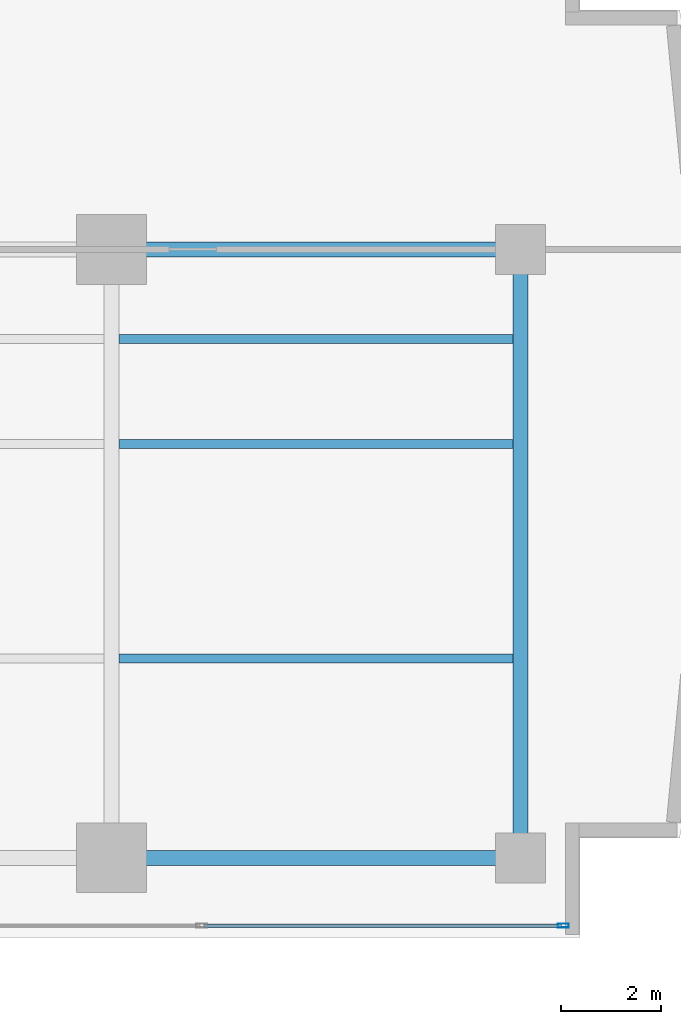
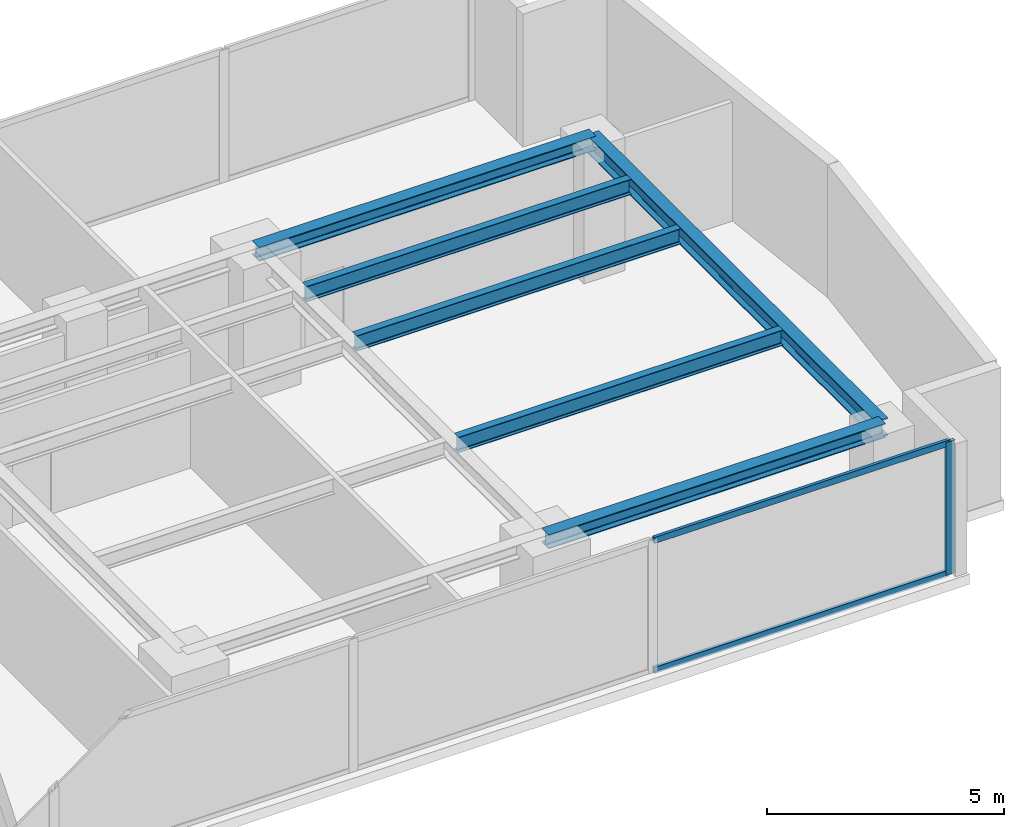
# One storey, part 12 of 25: 6 beams, 3 members, 1 element without a shape of its own.
"""IFC4 building model written with IfcOpenShell, lengths in metres."""

from ifc_helpers import new_model, si_unit, direction, frame, origin, origin_with_axes, origin_2d, place, context, subcontext, project, spatial, hollow_rectangle, i_section, extrude, source, transform, mapped, material, layer, layer_set, material_profile, profile_set, type_object, element, aggregate, save


model = new_model("IFC4")

# Units and contexts
model_context = context("Model", 3, precision=1e-05, world=origin(), true_north=direction((0.0, 1.0)))
body_context = subcontext(model_context, "Body", "Model", "MODEL_VIEW")
ifc_project = project(units=[si_unit("LENGTHUNIT", "METRE"), si_unit("AREAUNIT", "SQUARE_METRE"), si_unit("VOLUMEUNIT", "CUBIC_METRE"), si_unit("PLANEANGLEUNIT", "RADIAN"), si_unit("MASSUNIT", "GRAM", prefix="KILO")], contexts=[model_context])

# Site, building, storey
site_placement = place(None, origin())
site = spatial("IfcSite", under=ifc_project, at=site_placement, CompositionType="ELEMENT")
building_placement = place(site_placement, origin())
building = spatial("IfcBuilding", under=site, at=building_placement, Name="Kolvaren Waterfront Exchange", CompositionType="ELEMENT")
storey_placement = place(building_placement, frame((0.0, 0.0, 137.300048828125)))
storey = spatial("IfcBuildingStorey", under=building, at=storey_placement, Name="L35", CompositionType="ELEMENT", Elevation=137.300048828125)

# Beams
ifc_material_1 = material(Name="Steel S355", Category="steel")
ifc_material_profile_1 = material_profile(ifc_material_1, i_section(OverallWidth=0.300048828125, OverallDepth=0.360107421875, WebThickness=0.012451171875, FlangeThickness=0.0224609375, FilletRadius=0.027099609375, at=origin_2d()), Name="HEB360")
ifc_profile_set_1 = profile_set([ifc_material_profile_1], Name="Steel S355")
beam_type_1 = type_object("IfcBeamType", Name="STR-BM-HEB360", PredefinedType="SPANDREL", material=ifc_profile_set_1)
for number, where, z_axis, x_axis, name in (
    (1, (45.60009765625, 5.199951171875, 3.239990234375), (1.0, 0.0, 0.0), (0.0, 1.0, 0.0), "L35 east-arm spandrel S4"),
    (2, (45.60009765625, 17.39990234375, 3.239990234375), (1.0, 0.0, 0.0), (0.0, 1.0, 0.0), "L35 east-arm spandrel N4"),
):
    element("IfcBeam", number, at=place(storey_placement, frame(where, z_axis=z_axis, x_axis=x_axis)), inside=storey, type_object=beam_type_1, Name=name, PredefinedType="SPANDREL", context=body_context, shape_type="SweptSolid", body=[
        extrude(i_section(OverallWidth=0.300048828125, OverallDepth=0.360107421875, WebThickness=0.012451171875, FlangeThickness=0.0224609375, FilletRadius=0.027099609375, at=origin_2d()), origin(), (0.0, 0.0, 1.0), 8.199951171875),
    ])
ifc_material_profile_2 = material_profile(ifc_material_1, i_section(OverallWidth=0.300048828125, OverallDepth=0.449951171875, WebThickness=0.013916015625, FlangeThickness=0.02587890625, FilletRadius=0.027099609375, at=origin_2d()), Name="HEB450")
ifc_profile_set_2 = profile_set([ifc_material_profile_2], Name="Steel S355")
beam_type_2 = type_object("IfcBeamType", Name="STR-BM-HEB450", PredefinedType="BEAM", material=ifc_profile_set_2)
beam_placement = place(storey_placement, frame((53.800048828125, 5.199951171875, 3.195068359375), z_axis=(0.0, 1.0, 0.0), x_axis=(-1.0, 0.0, 0.0)))
element("IfcBeam", 3, at=beam_placement, inside=storey, type_object=beam_type_2, Name="L35 east-arm transverse girder X53", PredefinedType="BEAM", context=body_context, shape_type="SweptSolid", body=[
    extrude(i_section(OverallWidth=0.300048828125, OverallDepth=0.449951171875, WebThickness=0.013916015625, FlangeThickness=0.02587890625, FilletRadius=0.027099609375, at=origin_2d()), origin(), (0.0, 0.0, 1.0), 12.199951171875),
])
ifc_material_profile_3 = material_profile(ifc_material_1, i_section(OverallWidth=0.179931640625, OverallDepth=0.39990234375, WebThickness=0.008544921875, FlangeThickness=0.013427734375, FilletRadius=0.02099609375, at=origin_2d()), Name="IPE400")
ifc_profile_set_3 = profile_set([ifc_material_profile_3], Name="Steel S355")
beam_type_3 = type_object("IfcBeamType", Name="STR-BM-IPE400", PredefinedType="JOIST", material=ifc_profile_set_3)
for number, where, z_axis, x_axis, name in (
    (4, (45.751953125, 13.5, 3.219970703125), (1.0, 0.0, 0.0), (0.0, 1.0, 0.0), "L35 east-arm composite joist 4A"),
    (5, (45.751953125, 15.60009765625, 3.219970703125), (1.0, 0.0, 0.0), (0.0, 1.0, 0.0), "L35 east-arm composite joist 4C"),
    (6, (45.751953125, 9.199951171875, 3.219970703125), (1.0, 0.0, 0.0), (0.0, 1.0, 0.0), "L35 east-arm composite joist 4B"),
):
    element("IfcBeam", number, at=place(storey_placement, frame(where, z_axis=z_axis, x_axis=x_axis)), inside=storey, type_object=beam_type_3, Name=name, PredefinedType="JOIST", context=body_context, shape_type="SweptSolid", body=[
        extrude(i_section(OverallWidth=0.179931640625, OverallDepth=0.39990234375, WebThickness=0.008544921875, FlangeThickness=0.013427734375, FilletRadius=0.02099609375, at=origin_2d()), origin(), (0.0, 0.0, 1.0), 7.89599609375),
    ])

# Curtain wall, members
ifc_material_2 = material(Name="Anodised bronze aluminium 6063-T6", Category="aluminium")
ifc_layer = layer(ifc_material_2, 0.219970703125, Name="Anodised bronze aluminium 6063-T6")
ifc_layer_set = layer_set([ifc_layer], Name="Anodised bronze aluminium 6063-T6")
curtain_wall_type = type_object("IfcCurtainWallType", Name="ARC-CW-SYS1", PredefinedType="USERDEFINED", material=ifc_layer_set)
curtain_wall_placement = place(storey_placement, origin())
curtain_wall = element("IfcCurtainWall", 7, at=curtain_wall_placement, inside=storey, type_object=curtain_wall_type, Name="L35 stick curtain wall CW1 (CW-L35-S)", ObjectType="STICK CURTAIN WALL", PredefinedType="USERDEFINED")
ifc_material_3 = material(Name="Anodised aluminium 6063-T6", Category="aluminium")
ifc_material_profile_4 = material_profile(ifc_material_3, hollow_rectangle(XDim=0.080078125, YDim=0.219970703125, WallThickness=0.0048828125, at=origin_2d()), Name="ALU-MUL-220x80x5")
ifc_profile_set_4 = profile_set([ifc_material_profile_4], Name="Anodised aluminium 6063-T6")
member_type_1 = type_object("IfcMemberType", Name="ARC-CWM-220", PredefinedType="MULLION", material=ifc_profile_set_4)
shared_shape_1 = source(origin_with_axes(), body_context, "Body", "SweptSolid", [
    extrude(hollow_rectangle(XDim=0.080078125, YDim=0.219970703125, WallThickness=0.0048828125, at=origin_2d()), origin(), (0.0, 0.0, 1.0), 3.419921875),
])
member_1_placement = place(storey_placement, frame((54.659912109375, 3.840087890625, 0.0), z_axis=(0.0, 0.0, 1.0), x_axis=(0.0, 1.0, 0.0)))
member_1 = element("IfcMember", 8, at=member_1_placement, type_object=member_type_1, Name="CW1 mullion 8", PredefinedType="MULLION", context=body_context, shape_type="MappedRepresentation", body=[
    mapped(shared_shape_1, transform((0.0, 0.0, 0.0), x_axis=(1.0, 0.0, 0.0), y_axis=(0.0, 1.0, 0.0), z_axis=(0.0, 0.0, 1.0), scale=1.0)),
])
ifc_material_profile_5 = material_profile(ifc_material_3, hollow_rectangle(XDim=0.074951171875, YDim=0.159912109375, WallThickness=0.00439453125, at=origin_2d()), Name="ALU-TRN-160x75x4.5")
ifc_profile_set_5 = profile_set([ifc_material_profile_5], Name="Anodised aluminium 6063-T6")
member_type_2 = type_object("IfcMemberType", Name="ARC-CWT-160", PredefinedType="USERDEFINED", material=ifc_profile_set_5)
shared_shape_2 = source(origin_with_axes(), body_context, "Body", "SweptSolid", [
    extrude(hollow_rectangle(XDim=0.074951171875, YDim=0.159912109375, WallThickness=0.00439453125, at=origin_2d()), origin(), (0.0, 0.0, 1.0), 7.165771484375),
])
member_2_placement = place(storey_placement, frame((47.454345703125, 3.840087890625, 0.037353515625), z_axis=(1.0, 0.0, 0.0), x_axis=(0.0, 1.0, 0.0)))
member_2 = element("IfcMember", 9, at=member_2_placement, type_object=member_type_2, Name="CW1 transom 7.1", ObjectType="TRANSOM", PredefinedType="USERDEFINED", context=body_context, shape_type="MappedRepresentation", body=[
    mapped(shared_shape_2, transform((0.0, 0.0, 0.0), x_axis=(1.0, 0.0, 0.0), y_axis=(0.0, 1.0, 0.0), z_axis=(0.0, 0.0, 1.0), scale=1.0)),
])
member_3_placement = place(storey_placement, frame((47.454345703125, 3.840087890625, 3.382568359375), z_axis=(1.0, 0.0, 0.0), x_axis=(0.0, 1.0, 0.0)))
member_3 = element("IfcMember", 10, at=member_3_placement, type_object=member_type_2, Name="CW1 transom 7.2", ObjectType="TRANSOM", PredefinedType="USERDEFINED", context=body_context, shape_type="MappedRepresentation", body=[
    mapped(shared_shape_2, transform((0.0, 0.0, 0.0), x_axis=(1.0, 0.0, 0.0), y_axis=(0.0, 1.0, 0.0), z_axis=(0.0, 0.0, 1.0), scale=1.0)),
])
aggregate(curtain_wall, [member_1, member_2, member_3])

save(model, "model.ifc")
